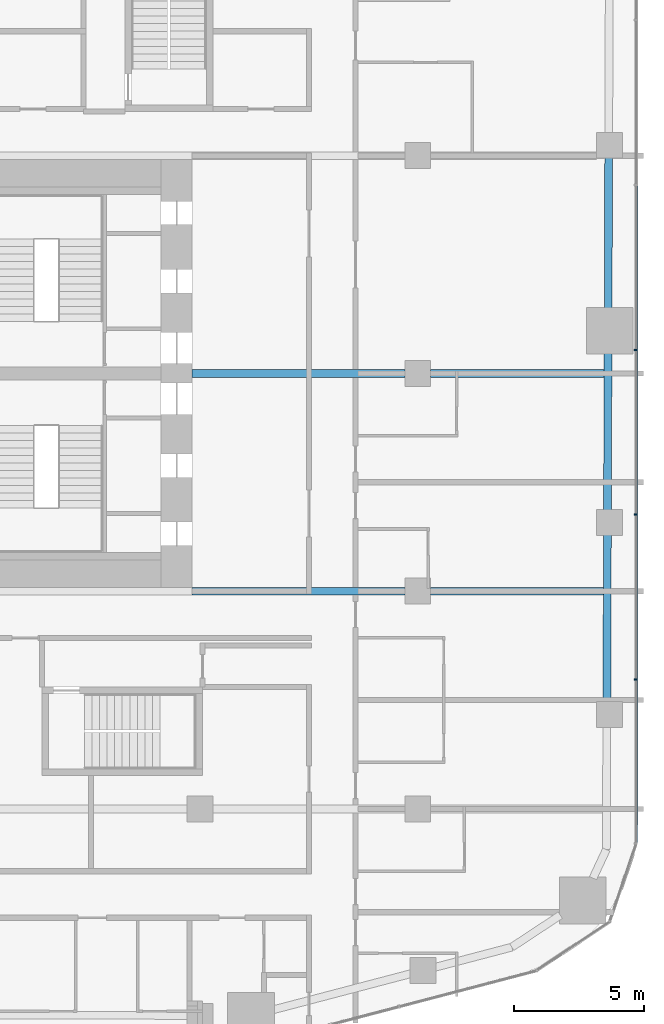
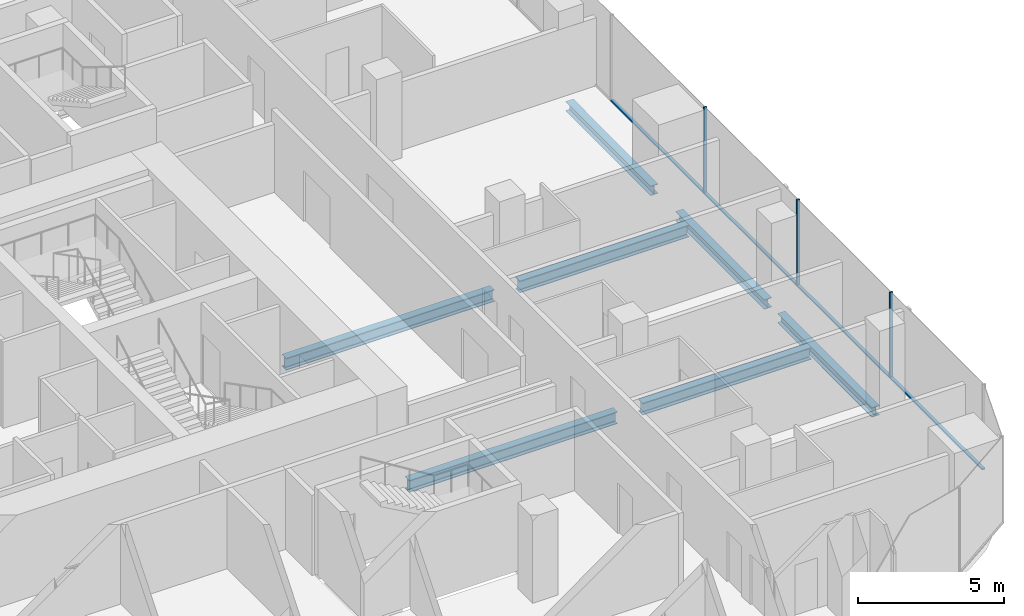
# One storey, part 7 of 26: 7 beams, 7 members, 1 element without a shape of its own.
"""IFC4 building model written with IfcOpenShell, lengths in metres."""

from ifc_helpers import new_model, si_unit, direction, frame, origin, origin_2d, place, context, subcontext, project, spatial, rectangle, i_section, extrude, material, layer, layer_set, material_profile, profile_set, type_object, element, aggregate, save


model = new_model("IFC4")

# Units and contexts
model_context = context("Model", 3, precision=1e-05, world=origin(), true_north=direction((0.0, 1.0)))
body_context = subcontext(model_context, "Body", "Model", "MODEL_VIEW")
ifc_project = project(units=[si_unit("LENGTHUNIT", "METRE"), si_unit("AREAUNIT", "SQUARE_METRE"), si_unit("VOLUMEUNIT", "CUBIC_METRE"), si_unit("PLANEANGLEUNIT", "RADIAN"), si_unit("MASSUNIT", "GRAM", prefix="KILO")], contexts=[model_context])

# Site, building, storey
site_placement = place(None, origin())
site = spatial("IfcSite", under=ifc_project, at=site_placement, CompositionType="ELEMENT")
building_placement = place(site_placement, origin())
building = spatial("IfcBuilding", under=site, at=building_placement, Name="Marenta Gate Hotel Tower", CompositionType="ELEMENT")
storey_placement = place(building_placement, frame((0.0, 0.0, 58.10009765625)))
storey = spatial("IfcBuildingStorey", under=building, at=storey_placement, Name="L12", CompositionType="ELEMENT", Elevation=58.10009765625)

# Beams
ifc_material_1 = material(Name="Steel S355", Category="steel")
ifc_material_profile_1 = material_profile(ifc_material_1, i_section(OverallWidth=0.300048828125, OverallDepth=0.39990234375, WebThickness=0.013427734375, FlangeThickness=0.02392578125, FilletRadius=0.027099609375, at=origin_2d()), Name="HEB 400")
ifc_profile_set_1 = profile_set([ifc_material_profile_1], Name="Steel S355")
beam_type_1 = type_object("IfcBeamType", Name="Edge beam HEB 400", PredefinedType="SPANDREL", material=ifc_profile_set_1)
beam_1_placement = place(storey_placement, frame((28.364013671875, 16.7431640625, -0.460205078125), z_axis=(-0.003306389661, -0.999994533879, 0.0), x_axis=(0.999994533879, -0.003306389661, 0.0)))
element("IfcBeam", 1, at=beam_1_placement, inside=storey, type_object=beam_type_1, Name="L12-EB-24", PredefinedType="SPANDREL", context=body_context, shape_type="SweptSolid", body=[
    extrude(i_section(OverallWidth=0.300048828125, OverallDepth=0.39990234375, WebThickness=0.013427734375, FlangeThickness=0.02392578125, FilletRadius=0.027099609375, at=origin_2d()), origin(), (0.0, 0.0, 1.0), 5.833251953125),
])
beam_2_placement = place(storey_placement, frame((28.3388671875, 9.18994140625, -0.460205078125), z_axis=(-0.003332378012, -0.999994447613, 0.0), x_axis=(0.999994447613, -0.003332378012, 0.0)))
element("IfcBeam", 2, at=beam_2_placement, inside=storey, type_object=beam_type_1, Name="L12-EB-25", PredefinedType="SPANDREL", context=body_context, shape_type="SweptSolid", body=[
    extrude(i_section(OverallWidth=0.300048828125, OverallDepth=0.39990234375, WebThickness=0.013427734375, FlangeThickness=0.02392578125, FilletRadius=0.027099609375, at=origin_2d()), origin(), (0.0, 0.0, 1.0), 6.080810546875),
])
beam_3_placement = place(storey_placement, frame((28.315673828125, 2.189208984375, -0.460205078125), z_axis=(-0.003352525703, -0.99999438027, 0.0), x_axis=(0.99999438027, -0.003352525703, 0.0)))
element("IfcBeam", 3, at=beam_3_placement, inside=storey, type_object=beam_type_1, Name="L12-EB-26", PredefinedType="SPANDREL", context=body_context, shape_type="SweptSolid", body=[
    extrude(i_section(OverallWidth=0.300048828125, OverallDepth=0.39990234375, WebThickness=0.013427734375, FlangeThickness=0.02392578125, FilletRadius=0.027099609375, at=origin_2d()), origin(), (0.0, 0.0, 1.0), 6.481201171875),
])
ifc_material_2 = material(Name="Steel S355", Category="steel")
ifc_material_profile_2 = material_profile(ifc_material_2, i_section(OverallWidth=0.300048828125, OverallDepth=0.5, WebThickness=0.014404296875, FlangeThickness=0.028076171875, FilletRadius=0.027099609375, at=origin_2d()), Name="HEB 500")
ifc_profile_set_2 = profile_set([ifc_material_profile_2], Name="Steel S355")
beam_type_2 = type_object("IfcBeamType", Name="Girder HEB 500", PredefinedType="BEAM", material=ifc_profile_set_2)
beam_4_placement = place(storey_placement, frame((12.300048828125, 0.0, -0.510009765625), z_axis=(1.0, 0.0, 0.0), x_axis=(0.0, 1.0, 0.0)))
element("IfcBeam", 4, at=beam_4_placement, inside=storey, type_object=beam_type_2, Name="L12-GD-11", PredefinedType="BEAM", context=body_context, shape_type="SweptSolid", body=[
    extrude(i_section(OverallWidth=0.300048828125, OverallDepth=0.5, WebThickness=0.014404296875, FlangeThickness=0.028076171875, FilletRadius=0.027099609375, at=origin_2d()), origin(), (0.0, 0.0, 1.0), 8.199951171875),
])
beam_5_placement = place(storey_placement, frame((21.5, 0.0, -0.510009765625), z_axis=(1.0, 0.0, 0.0), x_axis=(0.0, 1.0, 0.0)))
element("IfcBeam", 5, at=beam_5_placement, inside=storey, type_object=beam_type_2, Name="L12-GD-12", PredefinedType="BEAM", context=body_context, shape_type="SweptSolid", body=[
    extrude(i_section(OverallWidth=0.300048828125, OverallDepth=0.5, WebThickness=0.014404296875, FlangeThickness=0.028076171875, FilletRadius=0.027099609375, at=origin_2d()), origin(), (0.0, 0.0, 1.0), 6.658203125),
])
beam_6_placement = place(storey_placement, frame((12.300048828125, 8.39990234375, -0.510009765625), z_axis=(1.0, 0.0, 0.0), x_axis=(0.0, 1.0, 0.0)))
element("IfcBeam", 6, at=beam_6_placement, inside=storey, type_object=beam_type_2, Name="L12-GD-15", PredefinedType="BEAM", context=body_context, shape_type="SweptSolid", body=[
    extrude(i_section(OverallWidth=0.300048828125, OverallDepth=0.5, WebThickness=0.014404296875, FlangeThickness=0.028076171875, FilletRadius=0.027099609375, at=origin_2d()), origin(), (0.0, 0.0, 1.0), 8.199951171875),
])
beam_7_placement = place(storey_placement, frame((21.5, 8.39990234375, -0.510009765625), z_axis=(1.0, 0.0, 0.0), x_axis=(0.0, 1.0, 0.0)))
element("IfcBeam", 7, at=beam_7_placement, inside=storey, type_object=beam_type_2, Name="L12-GD-16", PredefinedType="BEAM", context=body_context, shape_type="SweptSolid", body=[
    extrude(i_section(OverallWidth=0.300048828125, OverallDepth=0.5, WebThickness=0.014404296875, FlangeThickness=0.028076171875, FilletRadius=0.027099609375, at=origin_2d()), origin(), (0.0, 0.0, 1.0), 6.686279296875),
])

# Curtain wall, members
ifc_material_3 = material(Name="Tinted insulated glass in bronze anodised frame", Category="glass")
ifc_layer = layer(ifc_material_3, 0.1201171875)
ifc_layer_set = layer_set([ifc_layer], Name="Tinted insulated glass in bronze anodised frame")
curtain_wall_type = type_object("IfcCurtainWallType", Name="Tower unitised curtain wall CW1", PredefinedType="NOTDEFINED", material=ifc_layer_set)
curtain_wall_placement = place(storey_placement, origin())
curtain_wall = element("IfcCurtainWall", 8, at=curtain_wall_placement, inside=storey, type_object=curtain_wall_type, Name="CW1 run G11", PredefinedType="NOTDEFINED")
ifc_material_4 = material(Name="Bronze anodised aluminium", Category="aluminium")
ifc_material_profile_3 = material_profile(ifc_material_4, rectangle(XDim=0.1201171875, YDim=0.06005859375, at=origin_2d()), Name="Mullion CW1 60x120 bronze anodised aluminium")
ifc_profile_set_3 = profile_set([ifc_material_profile_3], Name="Bronze anodised aluminium")
member_type_1 = type_object("IfcMemberType", Name="Mullion CW1 60x120 bronze anodised aluminium", PredefinedType="MULLION", material=ifc_profile_set_3)
member_1_placement = place(storey_placement, frame((29.4140625, -3.407958984375, 0.0), z_axis=(0.0, 0.0, 1.0), x_axis=(-1.0, 0.0, 0.0)))
member_1 = element("IfcMember", 9, at=member_1_placement, type_object=member_type_1, Name="CW1 mullion 2", PredefinedType="MULLION", context=body_context, shape_type="SweptSolid", body=[
    extrude(rectangle(XDim=0.1201171875, YDim=0.06005859375, at=origin_2d()), origin(), (0.0, 0.0, 1.0), 3.599853515625),
])
member_2_placement = place(storey_placement, frame((29.4140625, 2.951904296875, 0.0), z_axis=(0.0, 0.0, 1.0), x_axis=(-1.0, 0.0, 0.0)))
member_2 = element("IfcMember", 10, at=member_2_placement, type_object=member_type_1, Name="CW1 mullion 3", PredefinedType="MULLION", context=body_context, shape_type="SweptSolid", body=[
    extrude(rectangle(XDim=0.1201171875, YDim=0.06005859375, at=origin_2d()), origin(), (0.0, 0.0, 1.0), 3.599853515625),
])
member_3_placement = place(storey_placement, frame((29.4140625, 9.31201171875, 0.0), z_axis=(0.0, 0.0, 1.0), x_axis=(-1.0, 0.0, 0.0)))
member_3 = element("IfcMember", 11, at=member_3_placement, type_object=member_type_1, Name="CW1 mullion 4", PredefinedType="MULLION", context=body_context, shape_type="SweptSolid", body=[
    extrude(rectangle(XDim=0.1201171875, YDim=0.06005859375, at=origin_2d()), origin(), (0.0, 0.0, 1.0), 3.599853515625),
])
ifc_material_5 = material(Name="Bronze anodised aluminium", Category="aluminium")
ifc_material_profile_4 = material_profile(ifc_material_5, rectangle(XDim=0.1201171875, YDim=0.06005859375, at=origin_2d()), Name="Transom CW1 60x120 bronze anodised aluminium")
ifc_profile_set_4 = profile_set([ifc_material_profile_4], Name="Bronze anodised aluminium")
member_type_2 = type_object("IfcMemberType", Name="Transom CW1 60x120 bronze anodised aluminium", PredefinedType="USERDEFINED", material=ifc_profile_set_4)
member_4_placement = place(storey_placement, frame((29.4140625, -9.7080078125, 0.02978515625), z_axis=(0.0, 1.0, 0.0), x_axis=(-1.0, 0.0, 0.0)))
member_4 = element("IfcMember", 12, at=member_4_placement, type_object=member_type_2, Name="CW1 transom 1.1", ObjectType="TRANSOM", PredefinedType="USERDEFINED", context=body_context, shape_type="SweptSolid", body=[
    extrude(rectangle(XDim=0.1201171875, YDim=0.06005859375, at=origin_2d()), origin(), (0.0, 0.0, 1.0), 6.27001953125),
])
member_5_placement = place(storey_placement, frame((29.4140625, -3.3779296875, 0.02978515625), z_axis=(0.0, 1.0, 0.0), x_axis=(-1.0, 0.0, 0.0)))
member_5 = element("IfcMember", 13, at=member_5_placement, type_object=member_type_2, Name="CW1 transom 2.1", ObjectType="TRANSOM", PredefinedType="USERDEFINED", context=body_context, shape_type="SweptSolid", body=[
    extrude(rectangle(XDim=0.1201171875, YDim=0.06005859375, at=origin_2d()), origin(), (0.0, 0.0, 1.0), 6.2998046875),
])
member_6_placement = place(storey_placement, frame((29.4140625, 2.98193359375, 0.02978515625), z_axis=(0.0, 1.0, 0.0), x_axis=(-1.0, 0.0, 0.0)))
member_6 = element("IfcMember", 14, at=member_6_placement, type_object=member_type_2, Name="CW1 transom 3.1", ObjectType="TRANSOM", PredefinedType="USERDEFINED", context=body_context, shape_type="SweptSolid", body=[
    extrude(rectangle(XDim=0.1201171875, YDim=0.06005859375, at=origin_2d()), origin(), (0.0, 0.0, 1.0), 6.300048828125),
])
member_7_placement = place(storey_placement, frame((29.4140625, 9.342041015625, 0.02978515625), z_axis=(0.0, 1.0, 0.0), x_axis=(-1.0, 0.0, 0.0)))
member_7 = element("IfcMember", 15, at=member_7_placement, type_object=member_type_2, Name="CW1 transom 4.1", ObjectType="TRANSOM", PredefinedType="USERDEFINED", context=body_context, shape_type="SweptSolid", body=[
    extrude(rectangle(XDim=0.1201171875, YDim=0.06005859375, at=origin_2d()), origin(), (0.0, 0.0, 1.0), 6.2998046875),
])
aggregate(curtain_wall, [member_1, member_2, member_3, member_4, member_5, member_6, member_7])

save(model, "model.ifc")
